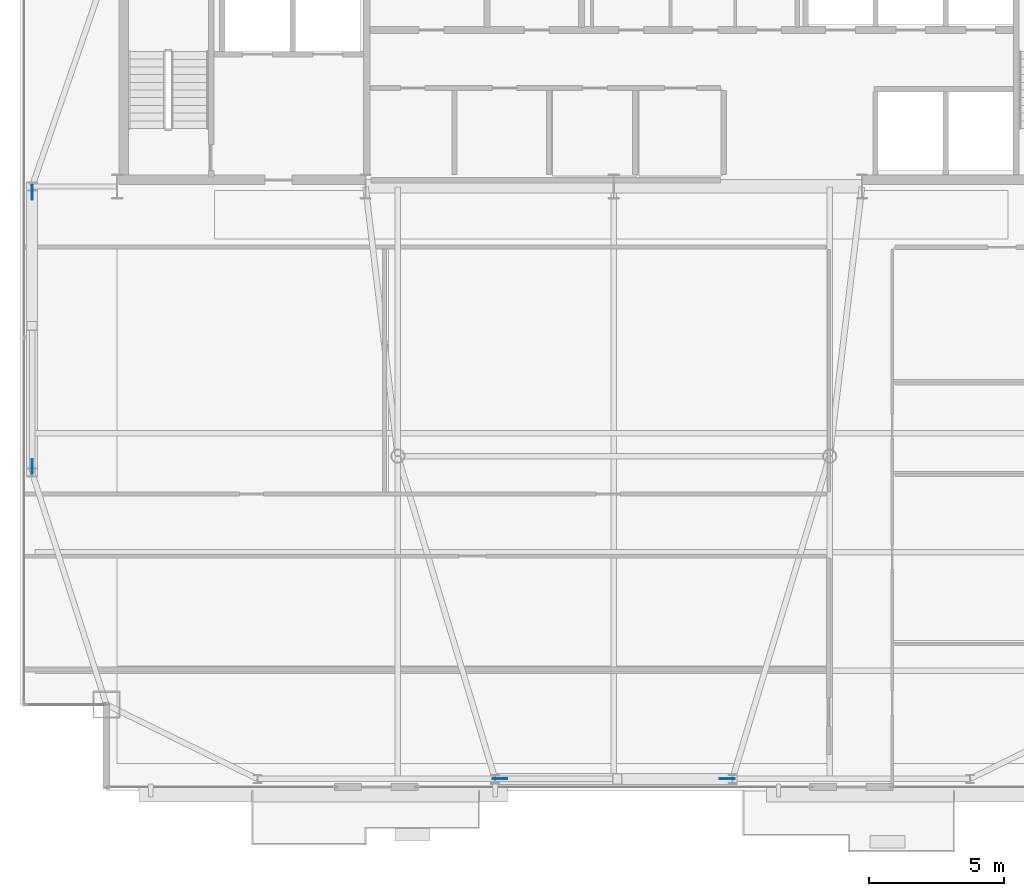
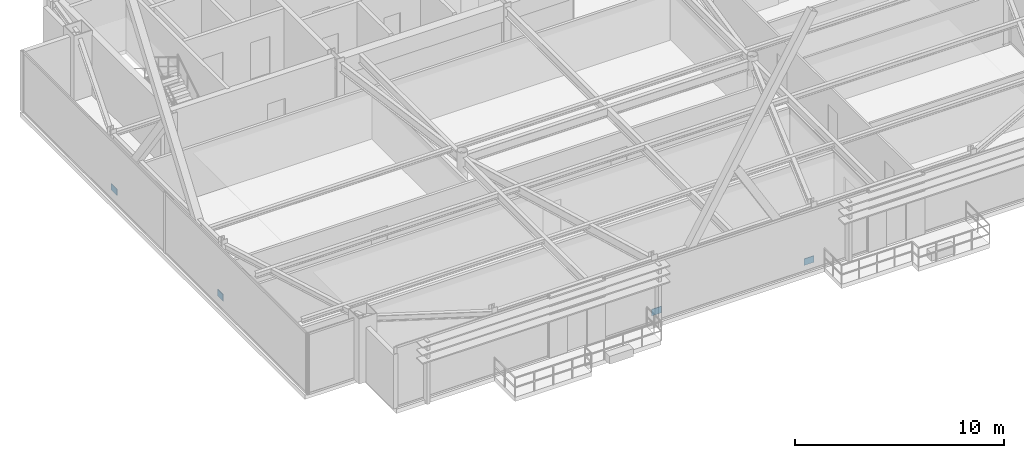
# One storey, part 19 of 25: 4 plates.
"""IFC4 building model written with IfcOpenShell, lengths in metres."""

from ifc_helpers import new_model, si_unit, direction, frame, origin, origin_2d, place, context, subcontext, project, spatial, rectangle, extrude, source, transform, mapped, material, layer, layer_set, type_object, type_shapes, element, save


model = new_model("IFC4")

# Units and contexts
model_context = context("Model", 3, precision=1e-05, world=origin(), true_north=direction((0.0, 1.0)))
body_context = subcontext(model_context, "Body", "Model", "MODEL_VIEW")
ifc_project = project(units=[si_unit("LENGTHUNIT", "METRE"), si_unit("AREAUNIT", "SQUARE_METRE"), si_unit("VOLUMEUNIT", "CUBIC_METRE"), si_unit("PLANEANGLEUNIT", "RADIAN"), si_unit("MASSUNIT", "GRAM", prefix="KILO")], contexts=[model_context])

# Site, building, storey
site_placement = place(None, origin())
site = spatial("IfcSite", under=ifc_project, at=site_placement, CompositionType="ELEMENT")
building_placement = place(site_placement, origin())
building = spatial("IfcBuilding", under=site, at=building_placement, Name="Varnel Quay Broadcast Tower", CompositionType="ELEMENT")
storey_placement = place(building_placement, frame((0.0, 0.0, 273.60009765625)))
storey = spatial("IfcBuildingStorey", under=building, at=storey_placement, Name="L68", CompositionType="ELEMENT", Elevation=273.60009765625)

# Plates
ifc_material = material(Name="Structural Steel CSA G40.21 350WT", Category="steel")
ifc_layer = layer(ifc_material, 0.031982421875, Name="Structural Steel CSA G40.21 350WT")
ifc_layer_set = layer_set([ifc_layer], Name="Structural Steel CSA G40.21 350WT")
plate_type = type_object("IfcPlateType", Name="Plate_EndCap", PredefinedType="USERDEFINED", material=ifc_layer_set)
shared_shape = source(origin(), body_context, "Body", "SweptSolid", [
    extrude(rectangle(XDim=0.5400390625, YDim=0.031982421875, at=origin_2d()), origin(), (0.0, 0.0, 1.0), 0.3798828125),
])
type_shapes(plate_type, [shared_shape])
for number, where, z_axis, x_axis, name in (
    (1, (29.793212890625, 13.64990234375, 0.1572265625), (0.0, 0.0, 1.0), (1.0, 0.0, 0.0), "Zone 5 Mega-Brace S-C1T2 Diag A End Connection Plate P0"),
    (2, (38.206787109375, 13.64990234375, 0.1572265625), (0.0, 0.0, 1.0), (1.0, 0.0, 0.0), "Zone 5 Mega-Brace S-C1T2 Diag B1 End Connection Plate P0"),
    (3, (12.449951171875, 25.22021484375, 0.1396484375), (0.0, 0.0, 1.0), (0.0, 1.0, 0.0), "Zone 5 Mega-Brace W-FT2 Diag A End Connection Plate P0"),
    (4, (12.449951171875, 35.3798828125, 0.1396484375), (0.0, 0.0, 1.0), (0.0, 1.0, 0.0), "Zone 5 Mega-Brace W-FT2 Diag B1 End Connection Plate P0"),
):
    element("IfcPlate", number, at=place(storey_placement, frame(where, z_axis=z_axis, x_axis=x_axis)), inside=storey, type_object=plate_type, Name=name, ObjectType="CAP_PLATE", PredefinedType="USERDEFINED", context=body_context, shape_type="MappedRepresentation", body=[
        mapped(shared_shape, transform((0.0, 0.0, 0.0), x_axis=(1.0, 0.0, 0.0), y_axis=(0.0, 1.0, 0.0), z_axis=(0.0, 0.0, 1.0), scale=1.0)),
    ])

save(model, "model.ifc")
